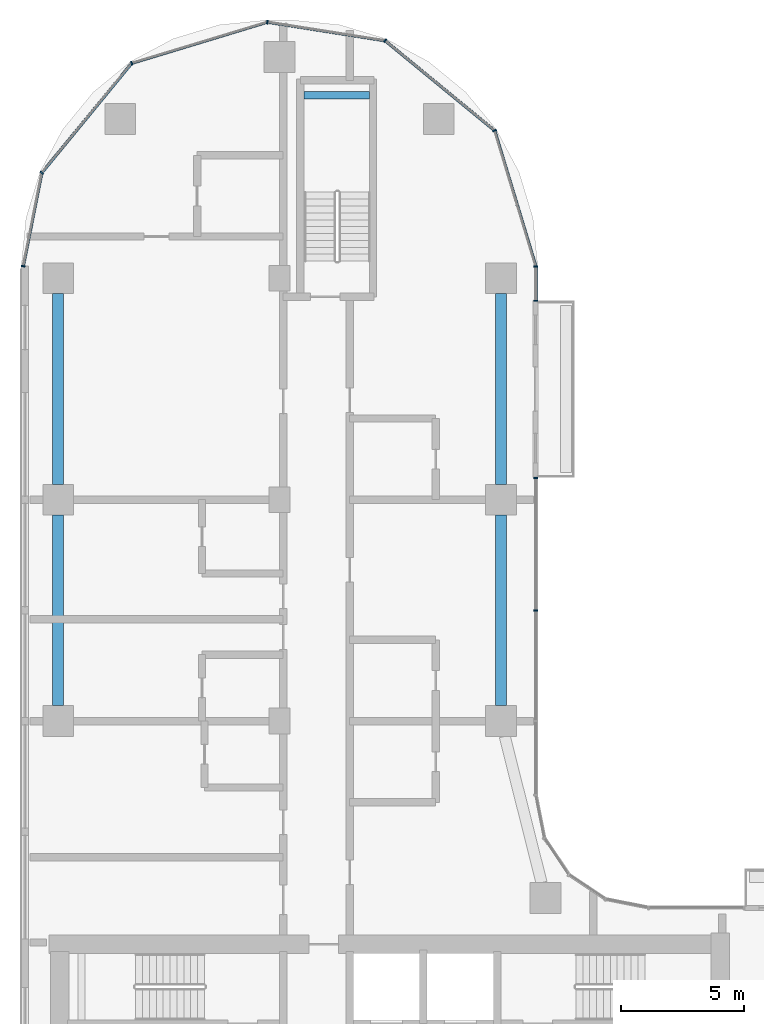
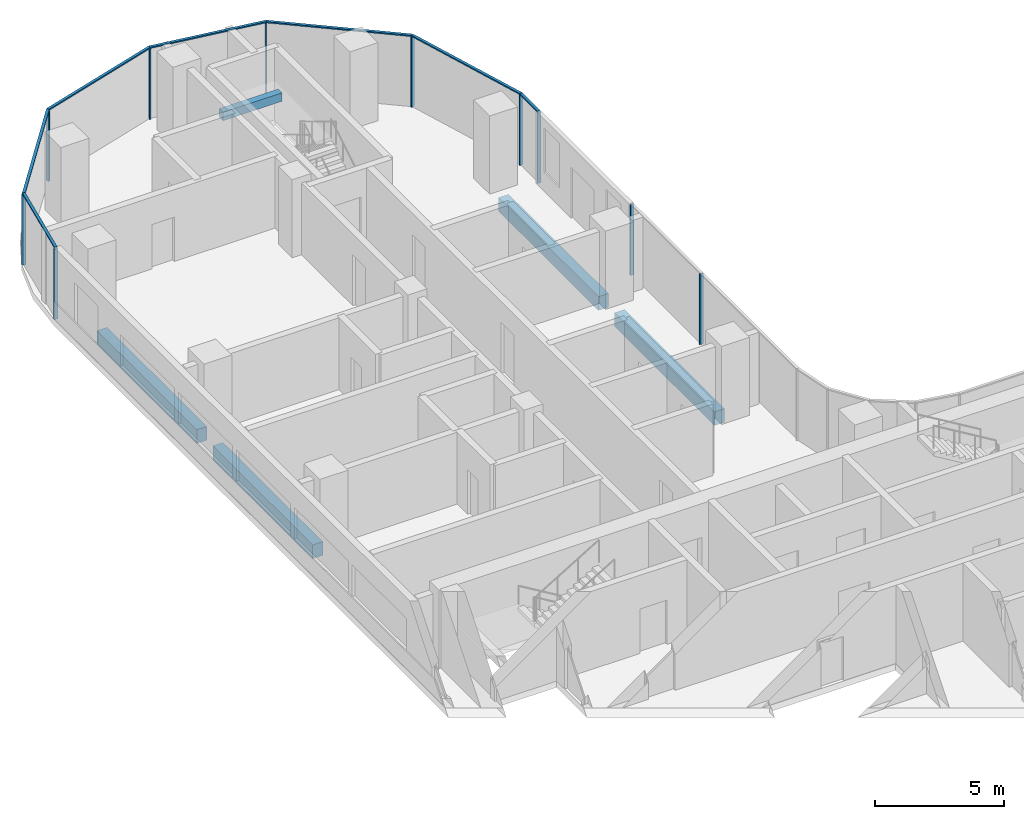
# One storey, part 4 of 21: 17 members, 5 beams, 3 elements without a shape of their own.
"""IFC4 building model written with IfcOpenShell, lengths in metres."""

import ifcopenshell
import ifcopenshell.guid

model = None  # the IFC model being written
_history = None  # IfcOwnerHistory: only IFC2X3 demands one
_inside = {}  # id of a spatial element -> (the spatial element, [elements in it])
_under = {}  # id of a project, library or spatial element -> (it, [spatial elements below it])
_declared = {}  # id of a project -> (the project, [libraries it declares])
_typed = {}  # id of a type object -> (the type object, [elements of that type])
_made_of = {}  # id of a material, layer set ... -> (it, [elements and type objects made of it])


def new_model(schema):
    """Start an empty IFC model of exactly this schema.

    Asked for "IFC4X3", IfcOpenShell would pick the latest addendum, in which some entities
    have other attributes; the version numbers below select the first issue.
    IFC2X3 requires an IfcOwnerHistory on every rooted entity: one is made here for all.
    """
    global model, _history
    if schema == "IFC4X3":
        model = ifcopenshell.file(schema_version=(4, 3, 0, 0))
    else:
        model = ifcopenshell.file(schema=schema)
    _inside.clear()
    _under.clear()
    _declared.clear()
    _typed.clear()
    _made_of.clear()
    _history = None
    if model.schema == "IFC2X3":
        org = make("IfcOrganization", Name="unknown")
        user = make(
            "IfcPersonAndOrganization",
            ThePerson=make("IfcPerson", FamilyName="unknown"),
            TheOrganization=org,
        )
        app = make(
            "IfcApplication",
            ApplicationDeveloper=org,
            Version="unknown",
            ApplicationFullName="unknown",
            ApplicationIdentifier="unknown",
        )
        _history = make(
            "IfcOwnerHistory",
            OwningUser=user,
            OwningApplication=app,
            ChangeAction="ADDED",
            CreationDate=0,
        )
    return model


def make(cls, **values):
    """One entity of the class cls with the attributes given. An attribute that is None is left unset."""
    return model.create_entity(
        cls, **{name: value for name, value in values.items() if value is not None}
    )


def rooted(cls, **values):
    """An entity with a GlobalId (a new one), such as an element, a storey or a relation."""
    return make(cls, GlobalId=ifcopenshell.guid.new(), OwnerHistory=_history, **values)


def si_unit(unit_type, name, prefix=None):
    """IfcSIUnit, for example si_unit("LENGTHUNIT", "METRE", prefix="MILLI")."""
    return make("IfcSIUnit", UnitType=unit_type, Prefix=prefix, Name=name)


def assignment(units):
    """IfcUnitAssignment: the units of a project."""
    return None if units is None else make("IfcUnitAssignment", Units=units)


def point(xyz):
    """IfcCartesianPoint."""
    return None if xyz is None else make("IfcCartesianPoint", Coordinates=xyz)


def direction(xyz):
    """IfcDirection."""
    return None if xyz is None else make("IfcDirection", DirectionRatios=xyz)


def frame(location, z_axis=None, x_axis=None):
    """IfcAxis2Placement3D, a coordinate frame: its origin and axes. An axis left out is left unset."""
    return make(
        "IfcAxis2Placement3D",
        Location=point(location),
        Axis=direction(z_axis),
        RefDirection=direction(x_axis),
    )


def frame_2d(location, x_axis=None):
    """IfcAxis2Placement2D, a coordinate frame in the plane: its origin and x axis."""
    return make(
        "IfcAxis2Placement2D", Location=point(location), RefDirection=direction(x_axis)
    )


def origin():
    """The frame at (0, 0, 0) with its axes left unset."""
    return frame((0.0, 0.0, 0.0))


def origin_2d():
    """The frame at (0, 0) in the plane with its x axis left unset."""
    return frame_2d((0.0, 0.0))


def place(relative_to, where):
    """IfcLocalPlacement: puts the frame where relative to a parent placement (None: the world)."""
    return make(
        "IfcLocalPlacement", PlacementRelTo=relative_to, RelativePlacement=where
    )


def context(
    kind, dimensions, precision=None, world=None, true_north=None, identifier=None
):
    """IfcGeometricRepresentationContext, for example the 3D "Model" context."""
    return make(
        "IfcGeometricRepresentationContext",
        ContextIdentifier=identifier,
        ContextType=kind,
        CoordinateSpaceDimension=dimensions,
        Precision=precision,
        WorldCoordinateSystem=world,
        TrueNorth=true_north,
    )


def subcontext(parent, identifier, kind, view, scale=None):
    """IfcGeometricRepresentationSubContext, for example "Body" below "Model"."""
    return make(
        "IfcGeometricRepresentationSubContext",
        ContextIdentifier=identifier,
        ContextType=kind,
        ParentContext=parent,
        TargetScale=scale,
        TargetView=view,
    )


def project(units=None, contexts=None):
    """IfcProject with its units and contexts."""
    return rooted(
        "IfcProject",
        Name="project",
        RepresentationContexts=contexts,
        UnitsInContext=assignment(units),
    )


def spatial(cls, under=None, at=None, **own):
    """A site, building, storey or space (cls), placed at a placement, below another one or the project."""
    s = rooted(cls, ObjectPlacement=at, **own)
    if under is not None:
        _under.setdefault(under.id(), (under, []))[1].append(s)
    return s


def profile(cls, at=None, kind="AREA", **sizes):
    """A parametric profile (cls). Its sizes go by their IFC names, for example OverallWidth=200.0."""
    return make(cls, ProfileType=kind, Position=at, **sizes)


def rectangle(**sizes):
    """IfcRectangleProfileDef."""
    return profile("IfcRectangleProfileDef", **sizes)


def extrude(swept, where, along, depth):
    """IfcExtrudedAreaSolid: the profile swept, set in the frame where, extruded along a direction by depth."""
    return make(
        "IfcExtrudedAreaSolid",
        SweptArea=swept,
        Position=where,
        ExtrudedDirection=direction(along),
        Depth=depth,
    )


def shape(context_of_items, identifier, shape_type, items):
    """IfcShapeRepresentation: the items that make up one representation, for example the "Body"."""
    return make(
        "IfcShapeRepresentation",
        ContextOfItems=context_of_items,
        RepresentationIdentifier=identifier,
        RepresentationType=shape_type,
        Items=items,
    )


def material(Name=None, Category=None):
    """IfcMaterial."""
    return make("IfcMaterial", Name=Name, Category=Category)


def material_profile(
    of_material, cross_section, Name=None, Category=None, Priority=None
):
    """IfcMaterialProfile: a cross section and its material."""
    return make(
        "IfcMaterialProfile",
        Name=Name,
        Material=of_material,
        Profile=cross_section,
        Priority=Priority,
        Category=Category,
    )


def profile_set(profiles, Name=None, composite=None):
    """IfcMaterialProfileSet."""
    return make(
        "IfcMaterialProfileSet",
        Name=Name,
        MaterialProfiles=profiles,
        CompositeProfile=composite,
    )


def made_of(thing, what):
    """Note that an element or type object is made of a material, layer set ...; save() writes the relation."""
    if what is not None:
        _made_of.setdefault(what.id(), (what, []))[1].append(thing)
    return thing


def type_object(cls, material=None, **own):
    """A type object (cls), such as IfcWallType, which elements share."""
    return made_of(rooted(cls, **own), material)


def element(
    cls,
    number,
    at=None,
    inside=None,
    cuts=None,
    type_object=None,
    material=None,
    context=None,
    identifier="Body",
    shape_type=None,
    held_by="IfcProductDefinitionShape",
    body=None,
    shapes=None,
    **own,
):
    """One element of the class cls, such as IfcWall. Its Tag is "e" and its number.

    at: its placement. inside: the storey or other place that contains it. cuts: it is an
    opening in that element (IfcRelVoidsElement). A single representation is given by context,
    identifier, shape_type and body (its items); several are given by shapes. held_by: the class
    of the entity that holds the representations. save() writes the other relations.
    """
    e = rooted(cls, Tag="e%d" % number, ObjectPlacement=at, **own)
    if body is not None:
        shapes = [shape(context, identifier, shape_type, body)]
    if shapes is not None:
        e.Representation = make(held_by, Representations=shapes)
    if inside is not None:
        _inside.setdefault(inside.id(), (inside, []))[1].append(e)
    if cuts is not None:
        rooted(
            "IfcRelVoidsElement", RelatingBuildingElement=cuts, RelatedOpeningElement=e
        )
    if type_object is not None:
        _typed.setdefault(type_object.id(), (type_object, []))[1].append(e)
    return made_of(e, material)


def aggregate(whole, parts):
    """IfcRelAggregates: a whole, such as a stair, and the parts it consists of."""
    return rooted("IfcRelAggregates", RelatingObject=whole, RelatedObjects=parts)


def save(model, path):
    """Write the relations noted so far, then the file.

    IfcRelAggregates (storeys below a building ...), IfcRelContainedInSpatialStructure (elements
    in a storey), IfcRelDefinesByType, IfcRelAssociatesMaterial and IfcRelDeclares: one each for
    every whole, place, type object, material and project.
    """
    for whole, parts in _under.values():
        aggregate(whole, parts)
    for where, things in _inside.values():
        rooted(
            "IfcRelContainedInSpatialStructure",
            RelatedElements=things,
            RelatingStructure=where,
        )
    for kind, things in _typed.values():
        rooted("IfcRelDefinesByType", RelatedObjects=things, RelatingType=kind)
    for what, things in _made_of.values():
        rooted("IfcRelAssociatesMaterial", RelatedObjects=things, RelatingMaterial=what)
    for by, libraries in _declared.values():
        rooted("IfcRelDeclares", RelatingContext=by, RelatedDefinitions=libraries)
    model.write(path)


model = new_model("IFC4")

# Units and contexts
model_context = context("Model", 3, precision=1e-05, world=origin(), true_north=direction((0.0, 1.0)))
body_context = subcontext(model_context, "Body", "Model", "MODEL_VIEW")
ifc_project = project(units=[si_unit("LENGTHUNIT", "METRE"), si_unit("AREAUNIT", "SQUARE_METRE"), si_unit("VOLUMEUNIT", "CUBIC_METRE"), si_unit("PLANEANGLEUNIT", "RADIAN"), si_unit("MASSUNIT", "GRAM", prefix="KILO")], contexts=[model_context])

# Site, building, storey
site_placement = place(None, origin())
site = spatial("IfcSite", under=ifc_project, at=site_placement, CompositionType="ELEMENT")
building_placement = place(site_placement, origin())
building = spatial("IfcBuilding", under=site, at=building_placement, Name="Ogive Portal Towers", CompositionType="ELEMENT")
storey_placement = place(building_placement, frame((0.0, 0.0, 109.300048828125)))
storey = spatial("IfcBuildingStorey", under=building, at=storey_placement, Name="L26", CompositionType="ELEMENT", Elevation=109.300048828125)

# Beam
ifc_material_1 = material(Name="Concrete C40/50", Category="concrete")
ifc_material_profile_1 = material_profile(ifc_material_1, rectangle(XDim=0.300048828125, YDim=0.39990234375, at=origin_2d()), Name="RC 300x400")
ifc_profile_set_1 = profile_set([ifc_material_profile_1], Name="Concrete C40/50")
beam_type_1 = type_object("IfcBeamType", Name="BEAM RC 300x400", PredefinedType="BEAM", material=ifc_profile_set_1)
beam_placement = place(storey_placement, frame((41.5, 73.949951171875, 1.449951171875), z_axis=(1.0, 0.0, 0.0), x_axis=(0.0, 1.0, 0.0)))
element("IfcBeam", 1, at=beam_placement, inside=storey, type_object=beam_type_1, Name="Landing beam L26", PredefinedType="BEAM", context=body_context, shape_type="SweptSolid", body=[
    extrude(rectangle(XDim=0.300048828125, YDim=0.39990234375, at=origin_2d()), origin(), (0.0, 0.0, 1.0), 2.64990234375),
])

# Curtain wall, members
ifc_material_2 = material(Name="Glass, clear low-iron insulated glazing", Category="glass")
curtain_wall_type = type_object("IfcCurtainWallType", Name="CW FRONT RIBBON 4500", PredefinedType="NOTDEFINED", material=ifc_material_2)
curtain_wall_1_placement = place(storey_placement, origin())
curtain_wall_1 = element("IfcCurtainWall", 2, at=curtain_wall_1_placement, inside=storey, type_object=curtain_wall_type, Name="A:L26:f17:cw0", PredefinedType="NOTDEFINED")
ifc_material_3 = material(Name="Aluminium 6063 anodised", Category="aluminium")
ifc_material_profile_2 = material_profile(ifc_material_3, rectangle(XDim=0.159912109375, YDim=0.06005859375, at=origin_2d()), Name="AL 60x160")
ifc_profile_set_2 = profile_set([ifc_material_profile_2], Name="Aluminium 6063 anodised")
member_type_1 = type_object("IfcMemberType", Name="CW MULLION 60x160", PredefinedType="MULLION", material=ifc_profile_set_2)
member_1_placement = place(storey_placement, frame((50.919921875, 53.0, 0.0), z_axis=(0.0, 0.0, 1.0), x_axis=(-1.0, 0.0, 0.0)))
member_1 = element("IfcMember", 3, at=member_1_placement, type_object=member_type_1, Name="mullion", PredefinedType="MULLION", context=body_context, shape_type="SweptSolid", body=[
    extrude(rectangle(XDim=0.159912109375, YDim=0.06005859375, at=origin_2d()), origin(), (0.0, 0.0, 1.0), 3.33984375),
])
member_2_placement = place(storey_placement, frame((50.919921875, 58.3896484375, 0.0), z_axis=(0.0, 0.0, 1.0), x_axis=(-1.0, 0.0, 0.0)))
member_2 = element("IfcMember", 4, at=member_2_placement, type_object=member_type_1, Name="mullion", PredefinedType="MULLION", context=body_context, shape_type="SweptSolid", body=[
    extrude(rectangle(XDim=0.159912109375, YDim=0.06005859375, at=origin_2d()), origin(), (0.0, 0.0, 1.0), 3.33984375),
])
aggregate(curtain_wall_1, [member_1, member_2])

curtain_wall_2_placement = place(storey_placement, origin())
curtain_wall_2 = element("IfcCurtainWall", 5, at=curtain_wall_2_placement, inside=storey, type_object=curtain_wall_type, Name="A:L26:f17:cw1", PredefinedType="NOTDEFINED")
member_3_placement = place(storey_placement, frame((50.919921875, 65.58837890625, 0.0), z_axis=(0.0, 0.0, 1.0), x_axis=(-1.0, 0.0, 0.0)))
member_3 = element("IfcMember", 6, at=member_3_placement, type_object=member_type_1, Name="mullion", PredefinedType="MULLION", context=body_context, shape_type="SweptSolid", body=[
    extrude(rectangle(XDim=0.159912109375, YDim=0.06005859375, at=origin_2d()), origin(), (0.0, 0.0, 1.0), 3.33984375),
])
member_4_placement = place(storey_placement, frame((50.919921875, 66.988037109375, 0.0), z_axis=(0.0, 0.0, 1.0), x_axis=(-1.0, 0.0, 0.0)))
member_4 = element("IfcMember", 7, at=member_4_placement, type_object=member_type_1, Name="mullion", PredefinedType="MULLION", context=body_context, shape_type="SweptSolid", body=[
    extrude(rectangle(XDim=0.159912109375, YDim=0.06005859375, at=origin_2d()), origin(), (0.0, 0.0, 1.0), 3.33984375),
])

curtain_wall_3_placement = place(storey_placement, origin())
curtain_wall_3 = element("IfcCurtainWall", 8, at=curtain_wall_3_placement, inside=storey, type_object=curtain_wall_type, Name="A:L26:f18:cwa", PredefinedType="NOTDEFINED")
member_5_placement = place(storey_placement, frame((49.2451171875, 72.50927734375, 0.0), z_axis=(0.0, 0.0, 1.0), x_axis=(-0.956940335732, -0.290284677254, 0.0)))
member_5 = element("IfcMember", 9, at=member_5_placement, type_object=member_type_1, Name="mullion", PredefinedType="MULLION", context=body_context, shape_type="SweptSolid", body=[
    extrude(rectangle(XDim=0.159912109375, YDim=0.06005859375, at=origin_2d()), origin(), (0.0, 0.0, 1.0), 3.33984375),
])
member_6_placement = place(storey_placement, frame((44.79296875, 76.1630859375, 0.0), z_axis=(0.0, 0.0, 1.0), x_axis=(-0.634393284164, -0.773010453363, 0.0)))
member_6 = element("IfcMember", 10, at=member_6_placement, type_object=member_type_1, Name="mullion", PredefinedType="MULLION", context=body_context, shape_type="SweptSolid", body=[
    extrude(rectangle(XDim=0.159912109375, YDim=0.06005859375, at=origin_2d()), origin(), (0.0, 0.0, 1.0), 3.33984375),
])
member_7_placement = place(storey_placement, frame((40.005615234375, 76.918212890625, 0.0), z_axis=(0.0, 0.0, 1.0), x_axis=(-0.155777466355, -0.987792174992, 0.0)))
member_7 = element("IfcMember", 11, at=member_7_placement, type_object=member_type_1, Name="mullion", PredefinedType="MULLION", context=body_context, shape_type="SweptSolid", body=[
    extrude(rectangle(XDim=0.159912109375, YDim=0.06005859375, at=origin_2d()), origin(), (0.0, 0.0, 1.0), 3.33984375),
])
member_8_placement = place(storey_placement, frame((34.49072265625, 75.2451171875, 0.0), z_axis=(0.0, 0.0, 1.0), x_axis=(0.290284677254, -0.956940335732, 0.0)))
member_8 = element("IfcMember", 12, at=member_8_placement, type_object=member_type_1, Name="mullion", PredefinedType="MULLION", context=body_context, shape_type="SweptSolid", body=[
    extrude(rectangle(XDim=0.159912109375, YDim=0.06005859375, at=origin_2d()), origin(), (0.0, 0.0, 1.0), 3.33984375),
])
member_9_placement = place(storey_placement, frame((30.835693359375, 70.79150390625, 0.0), z_axis=(0.0, 0.0, 1.0), x_axis=(0.773010453363, -0.634393284164, 0.0)))
member_9 = element("IfcMember", 13, at=member_9_placement, type_object=member_type_1, Name="mullion", PredefinedType="MULLION", context=body_context, shape_type="SweptSolid", body=[
    extrude(rectangle(XDim=0.159912109375, YDim=0.06005859375, at=origin_2d()), origin(), (0.0, 0.0, 1.0), 3.33984375),
])
member_10_placement = place(storey_placement, frame((30.080078125, 66.9921875, 0.0), z_axis=(0.0, 0.0, 1.0), x_axis=(0.980785280403, -0.195090322016, 0.0)))
member_10 = element("IfcMember", 14, at=member_10_placement, type_object=member_type_1, Name="mullion", PredefinedType="MULLION", context=body_context, shape_type="SweptSolid", body=[
    extrude(rectangle(XDim=0.159912109375, YDim=0.06005859375, at=origin_2d()), origin(), (0.0, 0.0, 1.0), 3.33984375),
])

# Member
ifc_material_profile_3 = material_profile(ifc_material_3, rectangle(XDim=0.1201171875, YDim=0.06005859375, at=origin_2d()), Name="AL 120x60")
ifc_profile_set_3 = profile_set([ifc_material_profile_3], Name="Aluminium 6063 anodised")
member_type_2 = type_object("IfcMemberType", Name="CW TRANSOM 60x120", PredefinedType="USERDEFINED", material=ifc_profile_set_3)
member_11_placement = place(storey_placement, frame((50.919921875, 65.58837890625, 3.369873046875), z_axis=(0.0, 1.0, 0.0), x_axis=(-1.0, 0.0, 0.0)))
member_11 = element("IfcMember", 15, at=member_11_placement, type_object=member_type_2, Name="transom", ObjectType="TRANSOM", PredefinedType="USERDEFINED", context=body_context, shape_type="SweptSolid", body=[
    extrude(rectangle(XDim=0.1201171875, YDim=0.06005859375, at=origin_2d()), origin(), (0.0, 0.0, 1.0), 1.399658203125),
])

aggregate(curtain_wall_2, [member_11, member_3, member_4])

member_12_placement = place(storey_placement, frame((50.919921875, 66.988037109375, 3.369873046875), z_axis=(-0.290277499028, 0.956942513194, 0.0), x_axis=(-0.956942513194, -0.290277499028, 0.0)))
member_12 = element("IfcMember", 16, at=member_12_placement, type_object=member_type_2, Name="transom", ObjectType="TRANSOM", PredefinedType="USERDEFINED", context=body_context, shape_type="SweptSolid", body=[
    extrude(rectangle(XDim=0.1201171875, YDim=0.06005859375, at=origin_2d()), origin(), (0.0, 0.0, 1.0), 5.769775390625),
])

member_13_placement = place(storey_placement, frame((49.2451171875, 72.50927734375, 3.369873046875), z_axis=(-0.773008341981, 0.634395856881, 0.0), x_axis=(-0.634395856881, -0.773008341981, 0.0)))
member_13 = element("IfcMember", 17, at=member_13_placement, type_object=member_type_2, Name="transom", ObjectType="TRANSOM", PredefinedType="USERDEFINED", context=body_context, shape_type="SweptSolid", body=[
    extrude(rectangle(XDim=0.1201171875, YDim=0.06005859375, at=origin_2d()), origin(), (0.0, 0.0, 1.0), 5.759521484375),
])

member_14_placement = place(storey_placement, frame((44.79296875, 76.1630859375, 3.369873046875), z_axis=(-0.987787459497, 0.155807364589, 0.0), x_axis=(-0.155807364589, -0.987787459497, 0.0)))
member_14 = element("IfcMember", 18, at=member_14_placement, type_object=member_type_2, Name="transom", ObjectType="TRANSOM", PredefinedType="USERDEFINED", context=body_context, shape_type="SweptSolid", body=[
    extrude(rectangle(XDim=0.1201171875, YDim=0.06005859375, at=origin_2d()), origin(), (0.0, 0.0, 1.0), 4.846435546875),
])

member_15_placement = place(storey_placement, frame((40.005615234375, 76.918212890625, 3.369873046875), z_axis=(-0.956932077168, -0.290311900697, 0.0), x_axis=(0.290311900697, -0.956932077168, 0.0)))
member_15 = element("IfcMember", 19, at=member_15_placement, type_object=member_type_2, Name="transom", ObjectType="TRANSOM", PredefinedType="USERDEFINED", context=body_context, shape_type="SweptSolid", body=[
    extrude(rectangle(XDim=0.1201171875, YDim=0.06005859375, at=origin_2d()), origin(), (0.0, 0.0, 1.0), 5.76318359375),
])

member_16_placement = place(storey_placement, frame((34.49072265625, 75.2451171875, 3.369873046875), z_axis=(-0.63439777858, -0.773006764869, 0.0), x_axis=(0.773006764869, -0.63439777858, 0.0)))
member_16 = element("IfcMember", 20, at=member_16_placement, type_object=member_type_2, Name="transom", ObjectType="TRANSOM", PredefinedType="USERDEFINED", context=body_context, shape_type="SweptSolid", body=[
    extrude(rectangle(XDim=0.1201171875, YDim=0.06005859375, at=origin_2d()), origin(), (0.0, 0.0, 1.0), 5.761474609375),
])

member_17_placement = place(storey_placement, frame((30.835693359375, 70.79150390625, 3.369873046875), z_axis=(-0.195061569373, -0.980790999221, 0.0), x_axis=(0.980790999221, -0.195061569373, 0.0)))
member_17 = element("IfcMember", 21, at=member_17_placement, type_object=member_type_2, Name="transom", ObjectType="TRANSOM", PredefinedType="USERDEFINED", context=body_context, shape_type="SweptSolid", body=[
    extrude(rectangle(XDim=0.1201171875, YDim=0.06005859375, at=origin_2d()), origin(), (0.0, 0.0, 1.0), 3.873779296875),
])

aggregate(curtain_wall_3, [member_12, member_13, member_14, member_15, member_16, member_17, member_5, member_6, member_7, member_8, member_9, member_10])

# Beams
ifc_material_4 = material(Name="Concrete C50/60", Category="concrete")
ifc_material_profile_4 = material_profile(ifc_material_4, rectangle(XDim=0.449951171875, YDim=0.64990234375, at=origin_2d()), Name="RC 450x650")
ifc_profile_set_4 = profile_set([ifc_material_profile_4], Name="Concrete C50/60")
beam_type_2 = type_object("IfcBeamType", Name="SPANDREL BEAM RC 450x650", PredefinedType="BEAM", material=ifc_profile_set_4)
for number, where, z_axis, x_axis, name in (
    (22, (31.5, 49.125, -0.625), (0.0, 1.0, 0.0), (-1.0, 0.0, 0.0), "Spandrel beam L26"),
    (23, (31.5, 58.125, -0.625), (0.0, 1.0, 0.0), (-1.0, 0.0, 0.0), "Spandrel beam L26"),
    (24, (49.5, 65.875, -0.625), (0.0, -1.0, 0.0), (1.0, 0.0, 0.0), "Spandrel beam L26"),
    (25, (49.5, 56.875, -0.625), (0.0, -1.0, 0.0), (1.0, 0.0, 0.0), "Spandrel beam L26"),
):
    element("IfcBeam", number, at=place(storey_placement, frame(where, z_axis=z_axis, x_axis=x_axis)), inside=storey, type_object=beam_type_2, Name=name, PredefinedType="BEAM", context=body_context, shape_type="SweptSolid", body=[
        extrude(rectangle(XDim=0.449951171875, YDim=0.64990234375, at=origin_2d()), origin(), (0.0, 0.0, 1.0), 7.75),
    ])

save(model, "model.ifc")
